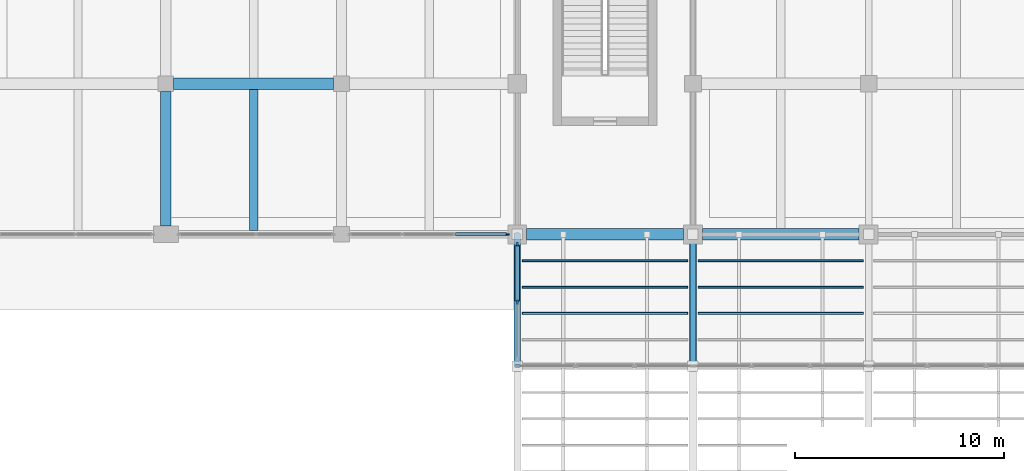
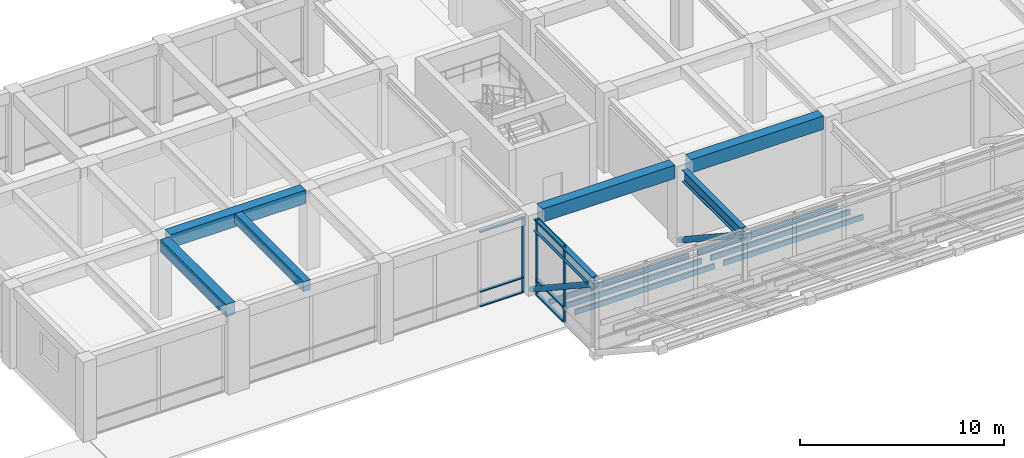
# One storey, part 5 of 52: 17 members, 7 beams, 2 elements without a shape of their own.
"""IFC4 building model written with IfcOpenShell, lengths in metres."""

from ifc_helpers import new_model, si_unit, direction, frame, origin, origin_2d, place, context, subcontext, project, spatial, rectangle, hollow_circle, i_section, extrude, material, material_profile, profile_set, type_object, element, aggregate, save


model = new_model("IFC4")

# Units and contexts
model_context = context("Model", 3, precision=1e-05, world=origin(), true_north=direction((0.0, 1.0)))
body_context = subcontext(model_context, "Body", "Model", "MODEL_VIEW")
ifc_project = project(units=[si_unit("LENGTHUNIT", "METRE"), si_unit("AREAUNIT", "SQUARE_METRE"), si_unit("VOLUMEUNIT", "CUBIC_METRE"), si_unit("PLANEANGLEUNIT", "RADIAN"), si_unit("MASSUNIT", "GRAM", prefix="KILO")], contexts=[model_context])

# Site, building, storey
site_placement = place(None, origin())
site = spatial("IfcSite", under=ifc_project, at=site_placement, CompositionType="ELEMENT")
building_placement = place(site_placement, origin())
building = spatial("IfcBuilding", under=site, at=building_placement, Name="Kenerak Square Central Library", CompositionType="ELEMENT")
storey_placement = place(building_placement, frame((0.0, 0.0, 4.800048828125)))
storey = spatial("IfcBuildingStorey", under=building, at=storey_placement, Name="L01", CompositionType="ELEMENT", Elevation=4.800048828125)

# Members
ifc_material_1 = material(Name="Chengal hardwood timber SG1", Category="wood")
ifc_material_profile_1 = material_profile(ifc_material_1, rectangle(XDim=0.090087890625, YDim=0.320068359375, at=origin_2d()), Name="CHENGAL 90x320")
ifc_profile_set_1 = profile_set([ifc_material_profile_1], Name="Chengal hardwood timber SG1")
member_type_1 = type_object("IfcMemberType", Name="Chengal Timber Louvre Blade CL-01 90x320", PredefinedType="USERDEFINED", material=ifc_profile_set_1)
for number, where, z_axis, x_axis, name in (
    (1, (58.64990234375, 15.5400390625, -0.0849609375), (1.0, 0.0, 0.0), (0.0, 1.0, 0.0), "Chengal Soffit Louvre Blade CL-01 0003"),
    (2, (58.64990234375, 14.280029296875, 0.369873046875), (1.0, 0.0, 0.0), (0.0, 1.0, 0.0), "Chengal Soffit Louvre Blade CL-01 0004"),
    (3, (58.64990234375, 13.02001953125, 0.824951171875), (1.0, 0.0, 0.0), (0.0, 1.0, 0.0), "Chengal Soffit Louvre Blade CL-01 0005"),
):
    element("IfcMember", number, at=place(storey_placement, frame(where, z_axis=z_axis, x_axis=x_axis)), inside=storey, type_object=member_type_1, Name=name, ObjectType="LOUVRE BLADE", PredefinedType="USERDEFINED", context=body_context, shape_type="SweptSolid", body=[
        extrude(rectangle(XDim=0.090087890625, YDim=0.320068359375, at=origin_2d()), origin(), (0.0, 0.0, 1.0), 7.900146484375),
    ])
for number, where, z_axis, x_axis, name in (
    (4, (67.050048828125, 15.5400390625, -0.0849609375), (1.0, 0.0, 0.0), (0.0, 1.0, 0.0), "Chengal Soffit Louvre Blade CL-01 0014"),
    (5, (67.050048828125, 14.280029296875, 0.369873046875), (1.0, 0.0, 0.0), (0.0, 1.0, 0.0), "Chengal Soffit Louvre Blade CL-01 0015"),
    (6, (67.050048828125, 13.02001953125, 0.824951171875), (1.0, 0.0, 0.0), (0.0, 1.0, 0.0), "Chengal Soffit Louvre Blade CL-01 0016"),
):
    element("IfcMember", number, at=place(storey_placement, frame(where, z_axis=z_axis, x_axis=x_axis)), inside=storey, type_object=member_type_1, Name=name, ObjectType="LOUVRE BLADE", PredefinedType="USERDEFINED", context=body_context, shape_type="SweptSolid", body=[
        extrude(rectangle(XDim=0.090087890625, YDim=0.320068359375, at=origin_2d()), origin(), (0.0, 0.0, 1.0), 7.89990234375),
    ])

# Curtain wall, member
ifc_material_2 = material(Name="Anodised aluminium and solar-control low-E glazing", Category="aluminium")
curtain_wall_type_1 = type_object("IfcCurtainWallType", Name="Curtain Wall CW-V6-75x45 7575x4500", PredefinedType="USERDEFINED", material=ifc_material_2)
curtain_wall_1_placement = place(storey_placement, origin())
curtain_wall_1 = element("IfcCurtainWall", 7, at=curtain_wall_1_placement, inside=storey, type_object=curtain_wall_type_1, Name="Curtain Wall CW-V6-75x45 L01 0056", ObjectType="CURTAIN WALL", PredefinedType="USERDEFINED")
ifc_material_3 = material(Name="Anodised aluminium 6063-T6", Category="aluminium")
ifc_material_profile_2 = material_profile(ifc_material_3, rectangle(XDim=0.06494140625, YDim=0.179931640625, at=origin_2d()), Name="AL MULLION 65x180")
ifc_profile_set_2 = profile_set([ifc_material_profile_2], Name="Anodised aluminium 6063-T6")
member_type_2 = type_object("IfcMemberType", Name="Curtain Mullion CM-01 65x180", PredefinedType="MULLION", material=ifc_profile_set_2)
member_1_placement = place(storey_placement, frame((57.91748046875, 16.800048828125, 0.0), z_axis=(0.0, 0.0, 1.0), x_axis=(0.0, -1.0, 0.0)))
member_1 = element("IfcMember", 8, at=member_1_placement, type_object=member_type_2, Name="CW-V6-75x45 Mullion 1", PredefinedType="MULLION", context=body_context, shape_type="SweptSolid", body=[
    extrude(rectangle(XDim=0.06494140625, YDim=0.179931640625, at=origin_2d()), origin(), (0.0, 0.0, 1.0), 4.5),
])

# Curtain wall, members
curtain_wall_type_2 = type_object("IfcCurtainWallType", Name="Curtain Wall CW-V1-55x45 5550x4500", PredefinedType="USERDEFINED", material=ifc_material_2)
curtain_wall_2_placement = place(storey_placement, origin())
curtain_wall_2 = element("IfcCurtainWall", 9, at=curtain_wall_2_placement, inside=storey, type_object=curtain_wall_type_2, Name="Curtain Wall CW-V1-55x45 L01 0055", ObjectType="CURTAIN WALL", PredefinedType="USERDEFINED")
ifc_material_profile_3 = material_profile(ifc_material_3, rectangle(XDim=0.074951171875, YDim=0.219970703125, at=origin_2d()), Name="AL MULLION 75x220")
ifc_profile_set_3 = profile_set([ifc_material_profile_3], Name="Anodised aluminium 6063-T6")
member_type_3 = type_object("IfcMemberType", Name="Curtain Mullion CM-02 75x220", PredefinedType="MULLION", material=ifc_profile_set_3)
member_2_placement = place(storey_placement, frame((58.39990234375, 13.574951171875, 0.0), z_axis=(0.0, 0.0, 1.0), x_axis=(-1.0, 0.0, 0.0)))
member_2 = element("IfcMember", 10, at=member_2_placement, type_object=member_type_3, Name="CW-V1-55x45 Mullion 2", PredefinedType="MULLION", context=body_context, shape_type="SweptSolid", body=[
    extrude(rectangle(XDim=0.074951171875, YDim=0.219970703125, at=origin_2d()), origin(), (0.0, 0.0, 1.0), 4.5),
])
member_3_placement = place(storey_placement, frame((58.39990234375, 16.3125, 0.0), z_axis=(0.0, 0.0, 1.0), x_axis=(-1.0, 0.0, 0.0)))
member_3 = element("IfcMember", 11, at=member_3_placement, type_object=member_type_3, Name="CW-V1-55x45 Mullion 3", PredefinedType="MULLION", context=body_context, shape_type="SweptSolid", body=[
    extrude(rectangle(XDim=0.074951171875, YDim=0.219970703125, at=origin_2d()), origin(), (0.0, 0.0, 1.0), 4.5),
])

# Member
ifc_material_profile_4 = material_profile(ifc_material_3, rectangle(XDim=0.159912109375, YDim=0.06494140625, at=origin_2d()), Name="AL TRANSOM 160x65")
ifc_profile_set_4 = profile_set([ifc_material_profile_4], Name="Anodised aluminium 6063-T6")
member_type_4 = type_object("IfcMemberType", Name="Curtain Transom CT-11 160x65", PredefinedType="USERDEFINED", material=ifc_profile_set_4)
member_4_placement = place(storey_placement, frame((57.885009765625, 16.800048828125, 0.032470703125), z_axis=(-1.0, 0.0, 0.0), x_axis=(0.0, -1.0, 0.0)))
member_4 = element("IfcMember", 12, at=member_4_placement, type_object=member_type_4, Name="CW-V6-75x45 Transom 1.1", ObjectType="TRANSOM", PredefinedType="USERDEFINED", context=body_context, shape_type="SweptSolid", body=[
    extrude(rectangle(XDim=0.159912109375, YDim=0.06494140625, at=origin_2d()), origin(), (0.0, 0.0, 1.0), 2.427490234375),
])

member_5_placement = place(storey_placement, frame((57.885009765625, 16.800048828125, 0.89990234375), z_axis=(-1.0, 0.0, 0.0), x_axis=(0.0, -1.0, 0.0)))
member_5 = element("IfcMember", 13, at=member_5_placement, type_object=member_type_4, Name="CW-V6-75x45 Transom 1.2", ObjectType="TRANSOM", PredefinedType="USERDEFINED", context=body_context, shape_type="SweptSolid", body=[
    extrude(rectangle(XDim=0.159912109375, YDim=0.06494140625, at=origin_2d()), origin(), (0.0, 0.0, 1.0), 2.427490234375),
])

member_6_placement = place(storey_placement, frame((57.885009765625, 16.800048828125, 4.467529296875), z_axis=(-1.0, 0.0, 0.0), x_axis=(0.0, -1.0, 0.0)))
member_6 = element("IfcMember", 14, at=member_6_placement, type_object=member_type_4, Name="CW-V6-75x45 Transom 1.3", ObjectType="TRANSOM", PredefinedType="USERDEFINED", context=body_context, shape_type="SweptSolid", body=[
    extrude(rectangle(XDim=0.159912109375, YDim=0.06494140625, at=origin_2d()), origin(), (0.0, 0.0, 1.0), 2.427490234375),
])

aggregate(curtain_wall_1, [member_1, member_4, member_5, member_6])

ifc_material_profile_5 = material_profile(ifc_material_3, rectangle(XDim=0.199951171875, YDim=0.074951171875, at=origin_2d()), Name="AL TRANSOM 200x75")
ifc_profile_set_5 = profile_set([ifc_material_profile_5], Name="Anodised aluminium 6063-T6")
member_type_5 = type_object("IfcMemberType", Name="Curtain Transom CT-12 200x75", PredefinedType="USERDEFINED", material=ifc_profile_set_5)
member_7_placement = place(storey_placement, frame((58.39990234375, 13.612548828125, 0.037353515625), z_axis=(0.0, 1.0, 0.0), x_axis=(-1.0, 0.0, 0.0)))
member_7 = element("IfcMember", 15, at=member_7_placement, type_object=member_type_5, Name="CW-V1-55x45 Transom 2.1", ObjectType="TRANSOM", PredefinedType="USERDEFINED", context=body_context, shape_type="SweptSolid", body=[
    extrude(rectangle(XDim=0.199951171875, YDim=0.074951171875, at=origin_2d()), origin(), (0.0, 0.0, 1.0), 2.662353515625),
])

member_8_placement = place(storey_placement, frame((58.39990234375, 13.612548828125, 0.89990234375), z_axis=(0.0, 1.0, 0.0), x_axis=(-1.0, 0.0, 0.0)))
member_8 = element("IfcMember", 16, at=member_8_placement, type_object=member_type_5, Name="CW-V1-55x45 Transom 2.2", ObjectType="TRANSOM", PredefinedType="USERDEFINED", context=body_context, shape_type="SweptSolid", body=[
    extrude(rectangle(XDim=0.199951171875, YDim=0.074951171875, at=origin_2d()), origin(), (0.0, 0.0, 1.0), 2.662353515625),
])

member_9_placement = place(storey_placement, frame((58.39990234375, 13.612548828125, 4.46240234375), z_axis=(0.0, 1.0, 0.0), x_axis=(-1.0, 0.0, 0.0)))
member_9 = element("IfcMember", 17, at=member_9_placement, type_object=member_type_5, Name="CW-V1-55x45 Transom 2.3", ObjectType="TRANSOM", PredefinedType="USERDEFINED", context=body_context, shape_type="SweptSolid", body=[
    extrude(rectangle(XDim=0.199951171875, YDim=0.074951171875, at=origin_2d()), origin(), (0.0, 0.0, 1.0), 2.662353515625),
])

aggregate(curtain_wall_2, [member_2, member_3, member_7, member_8, member_9])

# Beams
ifc_material_4 = material(Name="Steel S355", Category="steel")
ifc_material_profile_6 = material_profile(ifc_material_4, i_section(OverallWidth=0.300048828125, OverallDepth=0.699951171875, WebThickness=0.01708984375, FlangeThickness=0.031982421875, FilletRadius=0.027099609375, at=origin_2d()), Name="HEB 700")
ifc_profile_set_6 = profile_set([ifc_material_profile_6], Name="Steel S355")
beam_type_1 = type_object("IfcBeamType", Name="Overhang Truss Top Chord SB-01 HEB 700 S355", PredefinedType="BEAM", material=ifc_profile_set_6)
for number, where, z_axis, x_axis, name in (
    (18, (58.39990234375, 10.6201171875, 4.14990234375), (0.0, 1.0, 0.0), (-1.0, 0.0, 0.0), "Wall-Truss Chord 1 L01 004"),
    (19, (66.800048828125, 10.6201171875, 4.14990234375), (0.0, 1.0, 0.0), (-1.0, 0.0, 0.0), "Wall-Truss Chord 2 L01 020"),
):
    element("IfcBeam", number, at=place(storey_placement, frame(where, z_axis=z_axis, x_axis=x_axis)), inside=storey, type_object=beam_type_1, Name=name, PredefinedType="BEAM", context=body_context, shape_type="SweptSolid", body=[
        extrude(i_section(OverallWidth=0.300048828125, OverallDepth=0.699951171875, WebThickness=0.01708984375, FlangeThickness=0.031982421875, FilletRadius=0.027099609375, at=origin_2d()), origin(), (0.0, 0.0, 1.0), 5.77978515625),
    ])
ifc_material_5 = material(Name="Concrete C40/50", Category="concrete")
ifc_material_profile_7 = material_profile(ifc_material_5, rectangle(XDim=0.550048828125, YDim=0.800048828125, at=origin_2d()), Name="RC 550x800")
ifc_profile_set_7 = profile_set([ifc_material_profile_7], Name="Concrete C40/50")
beam_type_2 = type_object("IfcBeamType", Name="Primary Reading Beam B-04 RC 550x800 C40/50", PredefinedType="BEAM", material=ifc_profile_set_7)
for number, where, z_axis, x_axis, name in (
    (20, (58.85009765625, 16.800048828125, 4.39990234375), (1.0, 0.0, 0.0), (0.0, 1.0, 0.0), "Beam B-04 L01 0861"),
    (21, (67.25, 16.800048828125, 4.39990234375), (1.0, 0.0, 0.0), (0.0, 1.0, 0.0), "Beam B-04 L01 0862"),
):
    element("IfcBeam", number, at=place(storey_placement, frame(where, z_axis=z_axis, x_axis=x_axis)), inside=storey, type_object=beam_type_2, Name=name, PredefinedType="BEAM", context=body_context, shape_type="SweptSolid", body=[
        extrude(rectangle(XDim=0.550048828125, YDim=0.800048828125, at=origin_2d()), origin(), (0.0, 0.0, 1.0), 7.5),
    ])
beam_1_placement = place(storey_placement, frame((41.97509765625, 24.0, 4.39990234375), z_axis=(1.0, 0.0, 0.0), x_axis=(0.0, 1.0, 0.0)))
element("IfcBeam", 22, at=beam_1_placement, inside=storey, type_object=beam_type_2, Name="Beam B-04 L01 0872", PredefinedType="BEAM", context=body_context, shape_type="SweptSolid", body=[
    extrude(rectangle(XDim=0.550048828125, YDim=0.800048828125, at=origin_2d()), origin(), (0.0, 0.0, 1.0), 7.64990234375),
])

# Members
ifc_material_profile_8 = material_profile(ifc_material_4, hollow_circle(Radius=0.161865234375, WallThickness=0.012451171875, at=origin_2d()), Name="CHS 323.9x12.5")
ifc_profile_set_8 = profile_set([ifc_material_profile_8], Name="Steel S355")
member_type_6 = type_object("IfcMemberType", Name="Raking Overhang Strut RK-01 CHS 323.9x12.5 S355", PredefinedType="STRUT", material=ifc_profile_set_8)
for number, where, z_axis, x_axis, name in (
    (23, (58.39990234375, 16.800048828125, 0.0), (0.0, -0.835104509682, 0.55009131779), (1.0, 0.0, 0.0), "Raking Inner Strut RK-01 1"),
    (24, (66.800048828125, 16.800048828125, 0.0), (0.0, -0.835104509682, 0.55009131779), (1.0, 0.0, 0.0), "Raking Inner Strut RK-01 2"),
):
    element("IfcMember", number, at=place(storey_placement, frame(where, z_axis=z_axis, x_axis=x_axis)), inside=storey, type_object=member_type_6, Name=name, PredefinedType="STRUT", context=body_context, shape_type="SweptSolid", body=[
        extrude(hollow_circle(Radius=0.161865234375, WallThickness=0.012451171875, at=origin_2d()), origin(), (0.0, 0.0, 1.0), 7.5439453125),
    ])

# Beams
ifc_material_profile_9 = material_profile(ifc_material_5, rectangle(XDim=0.39990234375, YDim=0.60009765625, at=origin_2d()), Name="RC 400x600")
ifc_profile_set_9 = profile_set([ifc_material_profile_9], Name="Concrete C40/50")
beam_type_3 = type_object("IfcBeamType", Name="Secondary Floor Joist J-01 RC 400x600 C40/50", PredefinedType="JOIST", material=ifc_profile_set_9)
beam_2_placement = place(storey_placement, frame((45.800048828125, 16.97509765625, 4.5), z_axis=(0.0, 1.0, 0.0), x_axis=(-1.0, 0.0, 0.0)))
element("IfcBeam", 25, at=beam_2_placement, inside=storey, type_object=beam_type_3, Name="Joist J-01 L01 1100", PredefinedType="JOIST", context=body_context, shape_type="SweptSolid", body=[
    extrude(rectangle(XDim=0.39990234375, YDim=0.60009765625, at=origin_2d()), origin(), (0.0, 0.0, 1.0), 6.75),
])
ifc_material_profile_10 = material_profile(ifc_material_5, rectangle(XDim=0.5, YDim=0.75, at=origin_2d()), Name="RC 500x750")
ifc_profile_set_10 = profile_set([ifc_material_profile_10], Name="Concrete C40/50")
beam_type_4 = type_object("IfcBeamType", Name="Transverse Frame Beam B-05 RC 500x750 C40/50", PredefinedType="BEAM", material=ifc_profile_set_10)
beam_3_placement = place(storey_placement, frame((41.60009765625, 17.199951171875, 4.425048828125), z_axis=(0.0, 1.0, 0.0), x_axis=(-1.0, 0.0, 0.0)))
element("IfcBeam", 26, at=beam_3_placement, inside=storey, type_object=beam_type_4, Name="Beam B-05 L01 0996", PredefinedType="BEAM", context=body_context, shape_type="SweptSolid", body=[
    extrude(rectangle(XDim=0.5, YDim=0.75, at=origin_2d()), origin(), (0.0, 0.0, 1.0), 6.425048828125),
])

save(model, "model.ifc")
